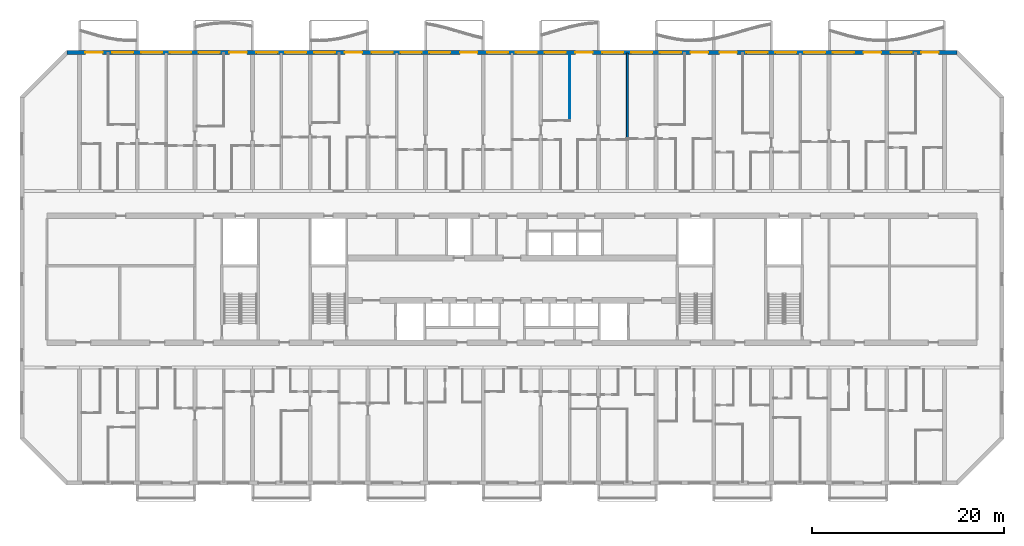
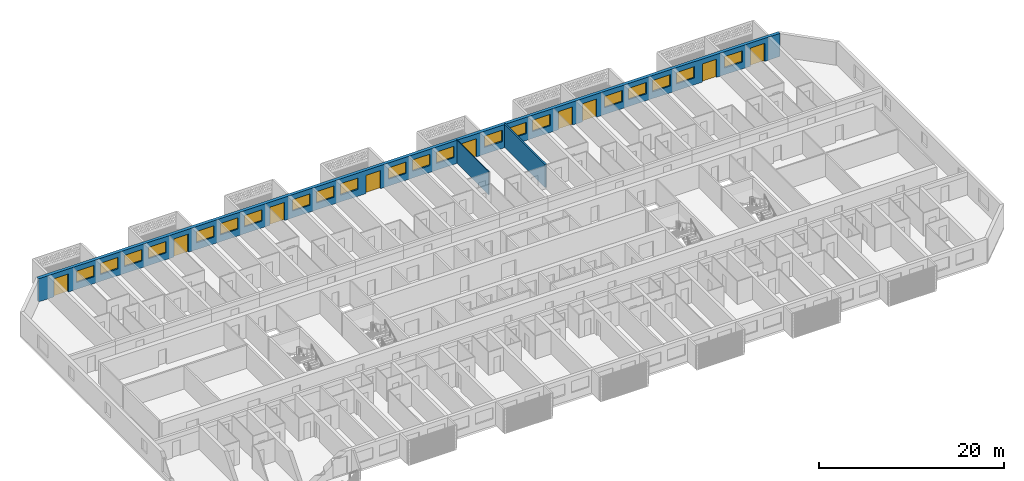
# One storey, part 13 of 38: 21 windows, 9 doors, 3 walls, 30 openings.
"""IFC4 building model written with IfcOpenShell, lengths in metres."""

from ifc_helpers import new_model, si_unit, direction, frame, frame_2d, origin, place, context, subcontext, project, spatial, rectangle, extrude, material, layer, layer_set, type_object, element, fill, save


model = new_model("IFC4")

# Units and contexts
model_context = context("Model", 3, precision=1e-05, world=origin(), true_north=direction((0.0, 1.0)))
body_context = subcontext(model_context, "Body", "Model", "MODEL_VIEW")
ifc_project = project(units=[si_unit("LENGTHUNIT", "METRE"), si_unit("AREAUNIT", "SQUARE_METRE"), si_unit("VOLUMEUNIT", "CUBIC_METRE"), si_unit("PLANEANGLEUNIT", "RADIAN"), si_unit("MASSUNIT", "GRAM", prefix="KILO")], contexts=[model_context])

# Site, building, storey
site_placement = place(None, origin())
site = spatial("IfcSite", under=ifc_project, at=site_placement, CompositionType="ELEMENT")
building_placement = place(site_placement, origin())
building = spatial("IfcBuilding", under=site, at=building_placement, Name="Poui Terraces", CompositionType="ELEMENT")
storey_placement = place(building_placement, frame((0.0, 0.0, 43.199951171875)))
storey = spatial("IfcBuildingStorey", under=building, at=storey_placement, Name="L11", CompositionType="ELEMENT", Elevation=43.199951171875)

# Wall, openings, doors, windows
ifc_material_1 = material(Name="Precast concrete 40 MPa", Category="concrete")
ifc_layer_1 = layer(ifc_material_1, 0.39990234375)
ifc_layer_set_1 = layer_set([ifc_layer_1], Name="Precast concrete 40 MPa")
wall_type_1 = type_object("IfcWallType", Name="EXTERNAL WALL 400", PredefinedType="STANDARD", material=ifc_layer_set_1)
wall_1_placement = place(storey_placement, frame((97.317138671875, 44.800048828125, 0.0), z_axis=(0.0, 0.0, 1.0), x_axis=(-1.0, 0.0, 0.0)))
wall_1 = element("IfcWall", 1, at=wall_1_placement, inside=storey, type_object=wall_type_1, Name="EXTERNAL WALL N", PredefinedType="STANDARD", context=body_context, shape_type="SweptSolid", body=[
    extrude(rectangle(XDim=92.63427734375, YDim=0.39990234375, at=frame_2d((46.317138671875, 0.0))), origin(), (0.0, 0.0, 1.0), 3.050048828125),
])
opening_1_placement = place(wall_1_placement, frame((88.917236328125, 0.0, 0.0)))
opening_1 = element("IfcOpeningElement", 2, at=opening_1_placement, cuts=wall_1, Name="Opening BD1", PredefinedType="OPENING", context=body_context, shape_type="SweptSolid", body=[
    extrude(rectangle(XDim=1.800048828125, YDim=2.39990234375, at=frame_2d((0.89990234375, 1.199951171875))), frame((0.0, 0.2099609375, 0.0), z_axis=(0.0, -1.0, 0.0), x_axis=(1.0, 0.0, 0.0)), (0.0, 0.0, 1.0), 0.419921875),
])
opening_2_placement = place(wall_1_placement, frame((85.71728515625, 0.0, 0.89990234375)))
opening_2 = element("IfcOpeningElement", 3, at=opening_2_placement, cuts=wall_1, Name="Opening W1", PredefinedType="OPENING", context=body_context, shape_type="SweptSolid", body=[
    extrude(rectangle(XDim=2.199951171875, YDim=1.5, at=frame_2d((1.10009765625, 0.75))), frame((0.0, 0.2099609375, 0.0), z_axis=(0.0, -1.0, 0.0), x_axis=(1.0, 0.0, 0.0)), (0.0, 0.0, 1.0), 0.419921875),
])
opening_3_placement = place(wall_1_placement, frame((82.71728515625, 0.0, 0.89990234375)))
opening_3 = element("IfcOpeningElement", 4, at=opening_3_placement, cuts=wall_1, Name="Opening W1", PredefinedType="OPENING", context=body_context, shape_type="SweptSolid", body=[
    extrude(rectangle(XDim=2.199951171875, YDim=1.5, at=frame_2d((1.10009765625, 0.75))), frame((0.0, 0.2099609375, 0.0), z_axis=(0.0, -1.0, 0.0), x_axis=(1.0, 0.0, 0.0)), (0.0, 0.0, 1.0), 0.419921875),
])
opening_4_placement = place(wall_1_placement, frame((79.71728515625, 0.0, 0.89990234375)))
opening_4 = element("IfcOpeningElement", 5, at=opening_4_placement, cuts=wall_1, Name="Opening W1", PredefinedType="OPENING", context=body_context, shape_type="SweptSolid", body=[
    extrude(rectangle(XDim=2.199951171875, YDim=1.5, at=frame_2d((1.10009765625, 0.75))), frame((0.0, 0.2099609375, 0.0), z_axis=(0.0, -1.0, 0.0), x_axis=(1.0, 0.0, 0.0)), (0.0, 0.0, 1.0), 0.419921875),
])
opening_5_placement = place(wall_1_placement, frame((76.71728515625, 0.0, 0.89990234375)))
opening_5 = element("IfcOpeningElement", 6, at=opening_5_placement, cuts=wall_1, Name="Opening W1", PredefinedType="OPENING", context=body_context, shape_type="SweptSolid", body=[
    extrude(rectangle(XDim=2.199951171875, YDim=1.5, at=frame_2d((1.10009765625, 0.75))), frame((0.0, 0.2099609375, 0.0), z_axis=(0.0, -1.0, 0.0), x_axis=(1.0, 0.0, 0.0)), (0.0, 0.0, 1.0), 0.419921875),
])
opening_6_placement = place(wall_1_placement, frame((73.917236328125, 0.0, 0.0)))
opening_6 = element("IfcOpeningElement", 7, at=opening_6_placement, cuts=wall_1, Name="Opening BD1", PredefinedType="OPENING", context=body_context, shape_type="SweptSolid", body=[
    extrude(rectangle(XDim=1.800048828125, YDim=2.39990234375, at=frame_2d((0.89990234375, 1.199951171875))), frame((0.0, 0.2099609375, 0.0), z_axis=(0.0, -1.0, 0.0), x_axis=(1.0, 0.0, 0.0)), (0.0, 0.0, 1.0), 0.419921875),
])
opening_7_placement = place(wall_1_placement, frame((70.71728515625, 0.0, 0.89990234375)))
opening_7 = element("IfcOpeningElement", 8, at=opening_7_placement, cuts=wall_1, Name="Opening W1", PredefinedType="OPENING", context=body_context, shape_type="SweptSolid", body=[
    extrude(rectangle(XDim=2.199951171875, YDim=1.5, at=frame_2d((1.10009765625, 0.75))), frame((0.0, 0.2099609375, 0.0), z_axis=(0.0, -1.0, 0.0), x_axis=(1.0, 0.0, 0.0)), (0.0, 0.0, 1.0), 0.419921875),
])
opening_8_placement = place(wall_1_placement, frame((67.71728515625, 0.0, 0.89990234375)))
opening_8 = element("IfcOpeningElement", 9, at=opening_8_placement, cuts=wall_1, Name="Opening W1", PredefinedType="OPENING", context=body_context, shape_type="SweptSolid", body=[
    extrude(rectangle(XDim=2.199951171875, YDim=1.5, at=frame_2d((1.10009765625, 0.75))), frame((0.0, 0.2099609375, 0.0), z_axis=(0.0, -1.0, 0.0), x_axis=(1.0, 0.0, 0.0)), (0.0, 0.0, 1.0), 0.419921875),
])
opening_9_placement = place(wall_1_placement, frame((64.71728515625, 0.0, 0.89990234375)))
opening_9 = element("IfcOpeningElement", 10, at=opening_9_placement, cuts=wall_1, Name="Opening W1", PredefinedType="OPENING", context=body_context, shape_type="SweptSolid", body=[
    extrude(rectangle(XDim=2.199951171875, YDim=1.5, at=frame_2d((1.10009765625, 0.75))), frame((0.0, 0.2099609375, 0.0), z_axis=(0.0, -1.0, 0.0), x_axis=(1.0, 0.0, 0.0)), (0.0, 0.0, 1.0), 0.419921875),
])
opening_10_placement = place(wall_1_placement, frame((61.917236328125, 0.0, 0.0)))
opening_10 = element("IfcOpeningElement", 11, at=opening_10_placement, cuts=wall_1, Name="Opening BD1", PredefinedType="OPENING", context=body_context, shape_type="SweptSolid", body=[
    extrude(rectangle(XDim=1.800048828125, YDim=2.39990234375, at=frame_2d((0.89990234375, 1.199951171875))), frame((0.0, 0.2099609375, 0.0), z_axis=(0.0, -1.0, 0.0), x_axis=(1.0, 0.0, 0.0)), (0.0, 0.0, 1.0), 0.419921875),
])
opening_11_placement = place(wall_1_placement, frame((58.71728515625, 0.0, 0.89990234375)))
opening_11 = element("IfcOpeningElement", 12, at=opening_11_placement, cuts=wall_1, Name="Opening W1", PredefinedType="OPENING", context=body_context, shape_type="SweptSolid", body=[
    extrude(rectangle(XDim=2.199951171875, YDim=1.5, at=frame_2d((1.10009765625, 0.75))), frame((0.0, 0.2099609375, 0.0), z_axis=(0.0, -1.0, 0.0), x_axis=(1.0, 0.0, 0.0)), (0.0, 0.0, 1.0), 0.419921875),
])
opening_12_placement = place(wall_1_placement, frame((55.71728515625, 0.0, 0.89990234375)))
opening_12 = element("IfcOpeningElement", 13, at=opening_12_placement, cuts=wall_1, Name="Opening W1", PredefinedType="OPENING", context=body_context, shape_type="SweptSolid", body=[
    extrude(rectangle(XDim=2.199951171875, YDim=1.5, at=frame_2d((1.10009765625, 0.75))), frame((0.0, 0.2099609375, 0.0), z_axis=(0.0, -1.0, 0.0), x_axis=(1.0, 0.0, 0.0)), (0.0, 0.0, 1.0), 0.419921875),
])
opening_13_placement = place(wall_1_placement, frame((52.71728515625, 0.0, 0.89990234375)))
opening_13 = element("IfcOpeningElement", 14, at=opening_13_placement, cuts=wall_1, Name="Opening W1", PredefinedType="OPENING", context=body_context, shape_type="SweptSolid", body=[
    extrude(rectangle(XDim=2.199951171875, YDim=1.5, at=frame_2d((1.10009765625, 0.75))), frame((0.0, 0.2099609375, 0.0), z_axis=(0.0, -1.0, 0.0), x_axis=(1.0, 0.0, 0.0)), (0.0, 0.0, 1.0), 0.419921875),
])
opening_14_placement = place(wall_1_placement, frame((49.917236328125, 0.0, 0.0)))
opening_14 = element("IfcOpeningElement", 15, at=opening_14_placement, cuts=wall_1, Name="Opening BD1", PredefinedType="OPENING", context=body_context, shape_type="SweptSolid", body=[
    extrude(rectangle(XDim=1.800048828125, YDim=2.39990234375, at=frame_2d((0.89990234375, 1.199951171875))), frame((0.0, 0.2099609375, 0.0), z_axis=(0.0, -1.0, 0.0), x_axis=(1.0, 0.0, 0.0)), (0.0, 0.0, 1.0), 0.419921875),
])
opening_15_placement = place(wall_1_placement, frame((46.71728515625, 0.0, 0.89990234375)))
opening_15 = element("IfcOpeningElement", 16, at=opening_15_placement, cuts=wall_1, Name="Opening W1", PredefinedType="OPENING", context=body_context, shape_type="SweptSolid", body=[
    extrude(rectangle(XDim=2.199951171875, YDim=1.5, at=frame_2d((1.10009765625, 0.75))), frame((0.0, 0.2099609375, 0.0), z_axis=(0.0, -1.0, 0.0), x_axis=(1.0, 0.0, 0.0)), (0.0, 0.0, 1.0), 0.419921875),
])
opening_16_placement = place(wall_1_placement, frame((43.71728515625, 0.0, 0.89990234375)))
opening_16 = element("IfcOpeningElement", 17, at=opening_16_placement, cuts=wall_1, Name="Opening W1", PredefinedType="OPENING", context=body_context, shape_type="SweptSolid", body=[
    extrude(rectangle(XDim=2.199951171875, YDim=1.5, at=frame_2d((1.10009765625, 0.75))), frame((0.0, 0.2099609375, 0.0), z_axis=(0.0, -1.0, 0.0), x_axis=(1.0, 0.0, 0.0)), (0.0, 0.0, 1.0), 0.419921875),
])
opening_17_placement = place(wall_1_placement, frame((40.71728515625, 0.0, 0.89990234375)))
opening_17 = element("IfcOpeningElement", 18, at=opening_17_placement, cuts=wall_1, Name="Opening W1", PredefinedType="OPENING", context=body_context, shape_type="SweptSolid", body=[
    extrude(rectangle(XDim=2.199951171875, YDim=1.5, at=frame_2d((1.10009765625, 0.75))), frame((0.0, 0.2099609375, 0.0), z_axis=(0.0, -1.0, 0.0), x_axis=(1.0, 0.0, 0.0)), (0.0, 0.0, 1.0), 0.419921875),
])
opening_18_placement = place(wall_1_placement, frame((37.917236328125, 0.0, 0.0)))
opening_18 = element("IfcOpeningElement", 19, at=opening_18_placement, cuts=wall_1, Name="Opening BD1", PredefinedType="OPENING", context=body_context, shape_type="SweptSolid", body=[
    extrude(rectangle(XDim=1.800048828125, YDim=2.39990234375, at=frame_2d((0.89990234375, 1.199951171875))), frame((0.0, 0.2099609375, 0.0), z_axis=(0.0, -1.0, 0.0), x_axis=(1.0, 0.0, 0.0)), (0.0, 0.0, 1.0), 0.419921875),
])
opening_19_placement = place(wall_1_placement, frame((34.71728515625, 0.0, 0.89990234375)))
opening_19 = element("IfcOpeningElement", 20, at=opening_19_placement, cuts=wall_1, Name="Opening W1", PredefinedType="OPENING", context=body_context, shape_type="SweptSolid", body=[
    extrude(rectangle(XDim=2.199951171875, YDim=1.5, at=frame_2d((1.10009765625, 0.75))), frame((0.0, 0.2099609375, 0.0), z_axis=(0.0, -1.0, 0.0), x_axis=(1.0, 0.0, 0.0)), (0.0, 0.0, 1.0), 0.419921875),
])
opening_20_placement = place(wall_1_placement, frame((31.71728515625, 0.0, 0.89990234375)))
opening_20 = element("IfcOpeningElement", 21, at=opening_20_placement, cuts=wall_1, Name="Opening W1", PredefinedType="OPENING", context=body_context, shape_type="SweptSolid", body=[
    extrude(rectangle(XDim=2.199951171875, YDim=1.5, at=frame_2d((1.10009765625, 0.75))), frame((0.0, 0.2099609375, 0.0), z_axis=(0.0, -1.0, 0.0), x_axis=(1.0, 0.0, 0.0)), (0.0, 0.0, 1.0), 0.419921875),
])
opening_21_placement = place(wall_1_placement, frame((28.71728515625, 0.0, 0.89990234375)))
opening_21 = element("IfcOpeningElement", 22, at=opening_21_placement, cuts=wall_1, Name="Opening W1", PredefinedType="OPENING", context=body_context, shape_type="SweptSolid", body=[
    extrude(rectangle(XDim=2.199951171875, YDim=1.5, at=frame_2d((1.10009765625, 0.75))), frame((0.0, 0.2099609375, 0.0), z_axis=(0.0, -1.0, 0.0), x_axis=(1.0, 0.0, 0.0)), (0.0, 0.0, 1.0), 0.419921875),
])
opening_22_placement = place(wall_1_placement, frame((25.917236328125, 0.0, 0.0)))
opening_22 = element("IfcOpeningElement", 23, at=opening_22_placement, cuts=wall_1, Name="Opening BD1", PredefinedType="OPENING", context=body_context, shape_type="SweptSolid", body=[
    extrude(rectangle(XDim=1.800048828125, YDim=2.39990234375, at=frame_2d((0.89990234375, 1.199951171875))), frame((0.0, 0.2099609375, 0.0), z_axis=(0.0, -1.0, 0.0), x_axis=(1.0, 0.0, 0.0)), (0.0, 0.0, 1.0), 0.419921875),
])
opening_23_placement = place(wall_1_placement, frame((22.917236328125, 0.0, 0.0)))
opening_23 = element("IfcOpeningElement", 24, at=opening_23_placement, cuts=wall_1, Name="Opening BD1", PredefinedType="OPENING", context=body_context, shape_type="SweptSolid", body=[
    extrude(rectangle(XDim=1.800048828125, YDim=2.39990234375, at=frame_2d((0.89990234375, 1.199951171875))), frame((0.0, 0.2099609375, 0.0), z_axis=(0.0, -1.0, 0.0), x_axis=(1.0, 0.0, 0.0)), (0.0, 0.0, 1.0), 0.419921875),
])
opening_24_placement = place(wall_1_placement, frame((19.71728515625, 0.0, 0.89990234375)))
opening_24 = element("IfcOpeningElement", 25, at=opening_24_placement, cuts=wall_1, Name="Opening W1", PredefinedType="OPENING", context=body_context, shape_type="SweptSolid", body=[
    extrude(rectangle(XDim=2.199951171875, YDim=1.5, at=frame_2d((1.10009765625, 0.75))), frame((0.0, 0.2099609375, 0.0), z_axis=(0.0, -1.0, 0.0), x_axis=(1.0, 0.0, 0.0)), (0.0, 0.0, 1.0), 0.419921875),
])
opening_25_placement = place(wall_1_placement, frame((16.71728515625, 0.0, 0.89990234375)))
opening_25 = element("IfcOpeningElement", 26, at=opening_25_placement, cuts=wall_1, Name="Opening W1", PredefinedType="OPENING", context=body_context, shape_type="SweptSolid", body=[
    extrude(rectangle(XDim=2.199951171875, YDim=1.5, at=frame_2d((1.10009765625, 0.75))), frame((0.0, 0.2099609375, 0.0), z_axis=(0.0, -1.0, 0.0), x_axis=(1.0, 0.0, 0.0)), (0.0, 0.0, 1.0), 0.419921875),
])
opening_26_placement = place(wall_1_placement, frame((13.71728515625, 0.0, 0.89990234375)))
opening_26 = element("IfcOpeningElement", 27, at=opening_26_placement, cuts=wall_1, Name="Opening W1", PredefinedType="OPENING", context=body_context, shape_type="SweptSolid", body=[
    extrude(rectangle(XDim=2.199951171875, YDim=1.5, at=frame_2d((1.10009765625, 0.75))), frame((0.0, 0.2099609375, 0.0), z_axis=(0.0, -1.0, 0.0), x_axis=(1.0, 0.0, 0.0)), (0.0, 0.0, 1.0), 0.419921875),
])
opening_27_placement = place(wall_1_placement, frame((10.71728515625, 0.0, 0.89990234375)))
opening_27 = element("IfcOpeningElement", 28, at=opening_27_placement, cuts=wall_1, Name="Opening W1", PredefinedType="OPENING", context=body_context, shape_type="SweptSolid", body=[
    extrude(rectangle(XDim=2.199951171875, YDim=1.5, at=frame_2d((1.10009765625, 0.75))), frame((0.0, 0.2099609375, 0.0), z_axis=(0.0, -1.0, 0.0), x_axis=(1.0, 0.0, 0.0)), (0.0, 0.0, 1.0), 0.419921875),
])
opening_28_placement = place(wall_1_placement, frame((7.917236328125, 0.0, 0.0)))
opening_28 = element("IfcOpeningElement", 29, at=opening_28_placement, cuts=wall_1, Name="Opening BD1", PredefinedType="OPENING", context=body_context, shape_type="SweptSolid", body=[
    extrude(rectangle(XDim=1.800048828125, YDim=2.39990234375, at=frame_2d((0.89990234375, 1.199951171875))), frame((0.0, 0.2099609375, 0.0), z_axis=(0.0, -1.0, 0.0), x_axis=(1.0, 0.0, 0.0)), (0.0, 0.0, 1.0), 0.419921875),
])
opening_29_placement = place(wall_1_placement, frame((4.71728515625, 0.0, 0.89990234375)))
opening_29 = element("IfcOpeningElement", 30, at=opening_29_placement, cuts=wall_1, Name="Opening W1", PredefinedType="OPENING", context=body_context, shape_type="SweptSolid", body=[
    extrude(rectangle(XDim=2.199951171875, YDim=1.5, at=frame_2d((1.10009765625, 0.75))), frame((0.0, 0.2099609375, 0.0), z_axis=(0.0, -1.0, 0.0), x_axis=(1.0, 0.0, 0.0)), (0.0, 0.0, 1.0), 0.419921875),
])
opening_30_placement = place(wall_1_placement, frame((1.917236328125, 0.0, 0.0)))
opening_30 = element("IfcOpeningElement", 31, at=opening_30_placement, cuts=wall_1, Name="Opening BD1", PredefinedType="OPENING", context=body_context, shape_type="SweptSolid", body=[
    extrude(rectangle(XDim=1.800048828125, YDim=2.39990234375, at=frame_2d((0.89990234375, 1.199951171875))), frame((0.0, 0.2099609375, 0.0), z_axis=(0.0, -1.0, 0.0), x_axis=(1.0, 0.0, 0.0)), (0.0, 0.0, 1.0), 0.419921875),
])
ifc_material_2 = material(Name="Clear glass in aluminium frame", Category="aluminium")
door_type = type_object("IfcDoorType", Name="BALCONY DOOR 1800X2400", OperationType="DOUBLE_DOOR_SLIDING", PredefinedType="DOOR", material=ifc_material_2)
door_1_placement = place(opening_1_placement, origin())
door_1 = element("IfcDoor", 32, at=door_1_placement, inside=storey, type_object=door_type, Name="BD1 BALCONY DOOR", OperationType="DOUBLE_DOOR_SLIDING", OverallHeight=2.39990234375, OverallWidth=1.800048828125, PredefinedType="DOOR", context=body_context, shape_type="SweptSolid", body=[
    extrude(rectangle(XDim=1.800048828125, YDim=2.39990234375, at=frame_2d((0.89990234375, 1.199951171875))), frame((0.0, 0.02490234375, 0.0), z_axis=(0.0, -1.0, 0.0), x_axis=(1.0, 0.0, 0.0)), (0.0, 0.0, 1.0), 0.050048828125),
])
fill(opening_1, door_1)
door_2_placement = place(opening_6_placement, origin())
door_2 = element("IfcDoor", 33, at=door_2_placement, inside=storey, type_object=door_type, Name="BD1 BALCONY DOOR", OperationType="DOUBLE_DOOR_SLIDING", OverallHeight=2.39990234375, OverallWidth=1.800048828125, PredefinedType="DOOR", context=body_context, shape_type="SweptSolid", body=[
    extrude(rectangle(XDim=1.800048828125, YDim=2.39990234375, at=frame_2d((0.89990234375, 1.199951171875))), frame((0.0, 0.02490234375, 0.0), z_axis=(0.0, -1.0, 0.0), x_axis=(1.0, 0.0, 0.0)), (0.0, 0.0, 1.0), 0.050048828125),
])
fill(opening_6, door_2)
door_3_placement = place(opening_10_placement, origin())
door_3 = element("IfcDoor", 34, at=door_3_placement, inside=storey, type_object=door_type, Name="BD1 BALCONY DOOR", OperationType="DOUBLE_DOOR_SLIDING", OverallHeight=2.39990234375, OverallWidth=1.800048828125, PredefinedType="DOOR", context=body_context, shape_type="SweptSolid", body=[
    extrude(rectangle(XDim=1.800048828125, YDim=2.39990234375, at=frame_2d((0.89990234375, 1.199951171875))), frame((0.0, 0.02490234375, 0.0), z_axis=(0.0, -1.0, 0.0), x_axis=(1.0, 0.0, 0.0)), (0.0, 0.0, 1.0), 0.050048828125),
])
fill(opening_10, door_3)
door_4_placement = place(opening_14_placement, origin())
door_4 = element("IfcDoor", 35, at=door_4_placement, inside=storey, type_object=door_type, Name="BD1 BALCONY DOOR", OperationType="DOUBLE_DOOR_SLIDING", OverallHeight=2.39990234375, OverallWidth=1.800048828125, PredefinedType="DOOR", context=body_context, shape_type="SweptSolid", body=[
    extrude(rectangle(XDim=1.800048828125, YDim=2.39990234375, at=frame_2d((0.89990234375, 1.199951171875))), frame((0.0, 0.02490234375, 0.0), z_axis=(0.0, -1.0, 0.0), x_axis=(1.0, 0.0, 0.0)), (0.0, 0.0, 1.0), 0.050048828125),
])
fill(opening_14, door_4)
door_5_placement = place(opening_18_placement, origin())
door_5 = element("IfcDoor", 36, at=door_5_placement, inside=storey, type_object=door_type, Name="BD1 BALCONY DOOR", OperationType="DOUBLE_DOOR_SLIDING", OverallHeight=2.39990234375, OverallWidth=1.800048828125, PredefinedType="DOOR", context=body_context, shape_type="SweptSolid", body=[
    extrude(rectangle(XDim=1.800048828125, YDim=2.39990234375, at=frame_2d((0.89990234375, 1.199951171875))), frame((0.0, 0.02490234375, 0.0), z_axis=(0.0, -1.0, 0.0), x_axis=(1.0, 0.0, 0.0)), (0.0, 0.0, 1.0), 0.050048828125),
])
fill(opening_18, door_5)
door_6_placement = place(opening_22_placement, origin())
door_6 = element("IfcDoor", 37, at=door_6_placement, inside=storey, type_object=door_type, Name="BD1 BALCONY DOOR", OperationType="DOUBLE_DOOR_SLIDING", OverallHeight=2.39990234375, OverallWidth=1.800048828125, PredefinedType="DOOR", context=body_context, shape_type="SweptSolid", body=[
    extrude(rectangle(XDim=1.800048828125, YDim=2.39990234375, at=frame_2d((0.89990234375, 1.199951171875))), frame((0.0, 0.02490234375, 0.0), z_axis=(0.0, -1.0, 0.0), x_axis=(1.0, 0.0, 0.0)), (0.0, 0.0, 1.0), 0.050048828125),
])
fill(opening_22, door_6)
door_7_placement = place(opening_23_placement, origin())
door_7 = element("IfcDoor", 38, at=door_7_placement, inside=storey, type_object=door_type, Name="BD1 BALCONY DOOR", OperationType="DOUBLE_DOOR_SLIDING", OverallHeight=2.39990234375, OverallWidth=1.800048828125, PredefinedType="DOOR", context=body_context, shape_type="SweptSolid", body=[
    extrude(rectangle(XDim=1.800048828125, YDim=2.39990234375, at=frame_2d((0.89990234375, 1.199951171875))), frame((0.0, 0.02490234375, 0.0), z_axis=(0.0, -1.0, 0.0), x_axis=(1.0, 0.0, 0.0)), (0.0, 0.0, 1.0), 0.050048828125),
])
fill(opening_23, door_7)
door_8_placement = place(opening_28_placement, origin())
door_8 = element("IfcDoor", 39, at=door_8_placement, inside=storey, type_object=door_type, Name="BD1 BALCONY DOOR", OperationType="DOUBLE_DOOR_SLIDING", OverallHeight=2.39990234375, OverallWidth=1.800048828125, PredefinedType="DOOR", context=body_context, shape_type="SweptSolid", body=[
    extrude(rectangle(XDim=1.800048828125, YDim=2.39990234375, at=frame_2d((0.89990234375, 1.199951171875))), frame((0.0, 0.02490234375, 0.0), z_axis=(0.0, -1.0, 0.0), x_axis=(1.0, 0.0, 0.0)), (0.0, 0.0, 1.0), 0.050048828125),
])
fill(opening_28, door_8)
door_9_placement = place(opening_30_placement, origin())
door_9 = element("IfcDoor", 40, at=door_9_placement, inside=storey, type_object=door_type, Name="BD1 BALCONY DOOR", OperationType="DOUBLE_DOOR_SLIDING", OverallHeight=2.39990234375, OverallWidth=1.800048828125, PredefinedType="DOOR", context=body_context, shape_type="SweptSolid", body=[
    extrude(rectangle(XDim=1.800048828125, YDim=2.39990234375, at=frame_2d((0.89990234375, 1.199951171875))), frame((0.0, 0.02490234375, 0.0), z_axis=(0.0, -1.0, 0.0), x_axis=(1.0, 0.0, 0.0)), (0.0, 0.0, 1.0), 0.050048828125),
])
fill(opening_30, door_9)
window_type = type_object("IfcWindowType", Name="WINDOW 2200X1500", PartitioningType="DOUBLE_PANEL_HORIZONTAL", PredefinedType="WINDOW", material=ifc_material_2)
window_1_placement = place(opening_2_placement, origin())
window_1 = element("IfcWindow", 41, at=window_1_placement, inside=storey, type_object=window_type, Name="W1 WINDOW", OverallHeight=1.5, OverallWidth=2.199951171875, PartitioningType="DOUBLE_PANEL_HORIZONTAL", PredefinedType="WINDOW", context=body_context, shape_type="SweptSolid", body=[
    extrude(rectangle(XDim=2.199951171875, YDim=1.5, at=frame_2d((1.10009765625, 0.75))), frame((0.0, 0.030029296875, 0.0), z_axis=(0.0, -1.0, 0.0), x_axis=(1.0, 0.0, 0.0)), (0.0, 0.0, 1.0), 0.06005859375),
])
fill(opening_2, window_1)
window_2_placement = place(opening_3_placement, origin())
window_2 = element("IfcWindow", 42, at=window_2_placement, inside=storey, type_object=window_type, Name="W1 WINDOW", OverallHeight=1.5, OverallWidth=2.199951171875, PartitioningType="DOUBLE_PANEL_HORIZONTAL", PredefinedType="WINDOW", context=body_context, shape_type="SweptSolid", body=[
    extrude(rectangle(XDim=2.199951171875, YDim=1.5, at=frame_2d((1.10009765625, 0.75))), frame((0.0, 0.030029296875, 0.0), z_axis=(0.0, -1.0, 0.0), x_axis=(1.0, 0.0, 0.0)), (0.0, 0.0, 1.0), 0.06005859375),
])
fill(opening_3, window_2)
window_3_placement = place(opening_4_placement, origin())
window_3 = element("IfcWindow", 43, at=window_3_placement, inside=storey, type_object=window_type, Name="W1 WINDOW", OverallHeight=1.5, OverallWidth=2.199951171875, PartitioningType="DOUBLE_PANEL_HORIZONTAL", PredefinedType="WINDOW", context=body_context, shape_type="SweptSolid", body=[
    extrude(rectangle(XDim=2.199951171875, YDim=1.5, at=frame_2d((1.10009765625, 0.75))), frame((0.0, 0.030029296875, 0.0), z_axis=(0.0, -1.0, 0.0), x_axis=(1.0, 0.0, 0.0)), (0.0, 0.0, 1.0), 0.06005859375),
])
fill(opening_4, window_3)
window_4_placement = place(opening_5_placement, origin())
window_4 = element("IfcWindow", 44, at=window_4_placement, inside=storey, type_object=window_type, Name="W1 WINDOW", OverallHeight=1.5, OverallWidth=2.199951171875, PartitioningType="DOUBLE_PANEL_HORIZONTAL", PredefinedType="WINDOW", context=body_context, shape_type="SweptSolid", body=[
    extrude(rectangle(XDim=2.199951171875, YDim=1.5, at=frame_2d((1.10009765625, 0.75))), frame((0.0, 0.030029296875, 0.0), z_axis=(0.0, -1.0, 0.0), x_axis=(1.0, 0.0, 0.0)), (0.0, 0.0, 1.0), 0.06005859375),
])
fill(opening_5, window_4)
window_5_placement = place(opening_7_placement, origin())
window_5 = element("IfcWindow", 45, at=window_5_placement, inside=storey, type_object=window_type, Name="W1 WINDOW", OverallHeight=1.5, OverallWidth=2.199951171875, PartitioningType="DOUBLE_PANEL_HORIZONTAL", PredefinedType="WINDOW", context=body_context, shape_type="SweptSolid", body=[
    extrude(rectangle(XDim=2.199951171875, YDim=1.5, at=frame_2d((1.10009765625, 0.75))), frame((0.0, 0.030029296875, 0.0), z_axis=(0.0, -1.0, 0.0), x_axis=(1.0, 0.0, 0.0)), (0.0, 0.0, 1.0), 0.06005859375),
])
fill(opening_7, window_5)
window_6_placement = place(opening_8_placement, origin())
window_6 = element("IfcWindow", 46, at=window_6_placement, inside=storey, type_object=window_type, Name="W1 WINDOW", OverallHeight=1.5, OverallWidth=2.199951171875, PartitioningType="DOUBLE_PANEL_HORIZONTAL", PredefinedType="WINDOW", context=body_context, shape_type="SweptSolid", body=[
    extrude(rectangle(XDim=2.199951171875, YDim=1.5, at=frame_2d((1.10009765625, 0.75))), frame((0.0, 0.030029296875, 0.0), z_axis=(0.0, -1.0, 0.0), x_axis=(1.0, 0.0, 0.0)), (0.0, 0.0, 1.0), 0.06005859375),
])
fill(opening_8, window_6)
window_7_placement = place(opening_9_placement, origin())
window_7 = element("IfcWindow", 47, at=window_7_placement, inside=storey, type_object=window_type, Name="W1 WINDOW", OverallHeight=1.5, OverallWidth=2.199951171875, PartitioningType="DOUBLE_PANEL_HORIZONTAL", PredefinedType="WINDOW", context=body_context, shape_type="SweptSolid", body=[
    extrude(rectangle(XDim=2.199951171875, YDim=1.5, at=frame_2d((1.10009765625, 0.75))), frame((0.0, 0.030029296875, 0.0), z_axis=(0.0, -1.0, 0.0), x_axis=(1.0, 0.0, 0.0)), (0.0, 0.0, 1.0), 0.06005859375),
])
fill(opening_9, window_7)
window_8_placement = place(opening_11_placement, origin())
window_8 = element("IfcWindow", 48, at=window_8_placement, inside=storey, type_object=window_type, Name="W1 WINDOW", OverallHeight=1.5, OverallWidth=2.199951171875, PartitioningType="DOUBLE_PANEL_HORIZONTAL", PredefinedType="WINDOW", context=body_context, shape_type="SweptSolid", body=[
    extrude(rectangle(XDim=2.199951171875, YDim=1.5, at=frame_2d((1.10009765625, 0.75))), frame((0.0, 0.030029296875, 0.0), z_axis=(0.0, -1.0, 0.0), x_axis=(1.0, 0.0, 0.0)), (0.0, 0.0, 1.0), 0.06005859375),
])
fill(opening_11, window_8)
window_9_placement = place(opening_12_placement, origin())
window_9 = element("IfcWindow", 49, at=window_9_placement, inside=storey, type_object=window_type, Name="W1 WINDOW", OverallHeight=1.5, OverallWidth=2.199951171875, PartitioningType="DOUBLE_PANEL_HORIZONTAL", PredefinedType="WINDOW", context=body_context, shape_type="SweptSolid", body=[
    extrude(rectangle(XDim=2.199951171875, YDim=1.5, at=frame_2d((1.10009765625, 0.75))), frame((0.0, 0.030029296875, 0.0), z_axis=(0.0, -1.0, 0.0), x_axis=(1.0, 0.0, 0.0)), (0.0, 0.0, 1.0), 0.06005859375),
])
fill(opening_12, window_9)
window_10_placement = place(opening_13_placement, origin())
window_10 = element("IfcWindow", 50, at=window_10_placement, inside=storey, type_object=window_type, Name="W1 WINDOW", OverallHeight=1.5, OverallWidth=2.199951171875, PartitioningType="DOUBLE_PANEL_HORIZONTAL", PredefinedType="WINDOW", context=body_context, shape_type="SweptSolid", body=[
    extrude(rectangle(XDim=2.199951171875, YDim=1.5, at=frame_2d((1.10009765625, 0.75))), frame((0.0, 0.030029296875, 0.0), z_axis=(0.0, -1.0, 0.0), x_axis=(1.0, 0.0, 0.0)), (0.0, 0.0, 1.0), 0.06005859375),
])
fill(opening_13, window_10)
window_11_placement = place(opening_15_placement, origin())
window_11 = element("IfcWindow", 51, at=window_11_placement, inside=storey, type_object=window_type, Name="W1 WINDOW", OverallHeight=1.5, OverallWidth=2.199951171875, PartitioningType="DOUBLE_PANEL_HORIZONTAL", PredefinedType="WINDOW", context=body_context, shape_type="SweptSolid", body=[
    extrude(rectangle(XDim=2.199951171875, YDim=1.5, at=frame_2d((1.10009765625, 0.75))), frame((0.0, 0.030029296875, 0.0), z_axis=(0.0, -1.0, 0.0), x_axis=(1.0, 0.0, 0.0)), (0.0, 0.0, 1.0), 0.06005859375),
])
fill(opening_15, window_11)
window_12_placement = place(opening_16_placement, origin())
window_12 = element("IfcWindow", 52, at=window_12_placement, inside=storey, type_object=window_type, Name="W1 WINDOW", OverallHeight=1.5, OverallWidth=2.199951171875, PartitioningType="DOUBLE_PANEL_HORIZONTAL", PredefinedType="WINDOW", context=body_context, shape_type="SweptSolid", body=[
    extrude(rectangle(XDim=2.199951171875, YDim=1.5, at=frame_2d((1.10009765625, 0.75))), frame((0.0, 0.030029296875, 0.0), z_axis=(0.0, -1.0, 0.0), x_axis=(1.0, 0.0, 0.0)), (0.0, 0.0, 1.0), 0.06005859375),
])
fill(opening_16, window_12)
window_13_placement = place(opening_17_placement, origin())
window_13 = element("IfcWindow", 53, at=window_13_placement, inside=storey, type_object=window_type, Name="W1 WINDOW", OverallHeight=1.5, OverallWidth=2.199951171875, PartitioningType="DOUBLE_PANEL_HORIZONTAL", PredefinedType="WINDOW", context=body_context, shape_type="SweptSolid", body=[
    extrude(rectangle(XDim=2.199951171875, YDim=1.5, at=frame_2d((1.10009765625, 0.75))), frame((0.0, 0.030029296875, 0.0), z_axis=(0.0, -1.0, 0.0), x_axis=(1.0, 0.0, 0.0)), (0.0, 0.0, 1.0), 0.06005859375),
])
fill(opening_17, window_13)
window_14_placement = place(opening_19_placement, origin())
window_14 = element("IfcWindow", 54, at=window_14_placement, inside=storey, type_object=window_type, Name="W1 WINDOW", OverallHeight=1.5, OverallWidth=2.199951171875, PartitioningType="DOUBLE_PANEL_HORIZONTAL", PredefinedType="WINDOW", context=body_context, shape_type="SweptSolid", body=[
    extrude(rectangle(XDim=2.199951171875, YDim=1.5, at=frame_2d((1.10009765625, 0.75))), frame((0.0, 0.030029296875, 0.0), z_axis=(0.0, -1.0, 0.0), x_axis=(1.0, 0.0, 0.0)), (0.0, 0.0, 1.0), 0.06005859375),
])
fill(opening_19, window_14)
window_15_placement = place(opening_20_placement, origin())
window_15 = element("IfcWindow", 55, at=window_15_placement, inside=storey, type_object=window_type, Name="W1 WINDOW", OverallHeight=1.5, OverallWidth=2.199951171875, PartitioningType="DOUBLE_PANEL_HORIZONTAL", PredefinedType="WINDOW", context=body_context, shape_type="SweptSolid", body=[
    extrude(rectangle(XDim=2.199951171875, YDim=1.5, at=frame_2d((1.10009765625, 0.75))), frame((0.0, 0.030029296875, 0.0), z_axis=(0.0, -1.0, 0.0), x_axis=(1.0, 0.0, 0.0)), (0.0, 0.0, 1.0), 0.06005859375),
])
fill(opening_20, window_15)
window_16_placement = place(opening_21_placement, origin())
window_16 = element("IfcWindow", 56, at=window_16_placement, inside=storey, type_object=window_type, Name="W1 WINDOW", OverallHeight=1.5, OverallWidth=2.199951171875, PartitioningType="DOUBLE_PANEL_HORIZONTAL", PredefinedType="WINDOW", context=body_context, shape_type="SweptSolid", body=[
    extrude(rectangle(XDim=2.199951171875, YDim=1.5, at=frame_2d((1.10009765625, 0.75))), frame((0.0, 0.030029296875, 0.0), z_axis=(0.0, -1.0, 0.0), x_axis=(1.0, 0.0, 0.0)), (0.0, 0.0, 1.0), 0.06005859375),
])
fill(opening_21, window_16)
window_17_placement = place(opening_24_placement, origin())
window_17 = element("IfcWindow", 57, at=window_17_placement, inside=storey, type_object=window_type, Name="W1 WINDOW", OverallHeight=1.5, OverallWidth=2.199951171875, PartitioningType="DOUBLE_PANEL_HORIZONTAL", PredefinedType="WINDOW", context=body_context, shape_type="SweptSolid", body=[
    extrude(rectangle(XDim=2.199951171875, YDim=1.5, at=frame_2d((1.10009765625, 0.75))), frame((0.0, 0.030029296875, 0.0), z_axis=(0.0, -1.0, 0.0), x_axis=(1.0, 0.0, 0.0)), (0.0, 0.0, 1.0), 0.06005859375),
])
fill(opening_24, window_17)
window_18_placement = place(opening_25_placement, origin())
window_18 = element("IfcWindow", 58, at=window_18_placement, inside=storey, type_object=window_type, Name="W1 WINDOW", OverallHeight=1.5, OverallWidth=2.199951171875, PartitioningType="DOUBLE_PANEL_HORIZONTAL", PredefinedType="WINDOW", context=body_context, shape_type="SweptSolid", body=[
    extrude(rectangle(XDim=2.199951171875, YDim=1.5, at=frame_2d((1.10009765625, 0.75))), frame((0.0, 0.030029296875, 0.0), z_axis=(0.0, -1.0, 0.0), x_axis=(1.0, 0.0, 0.0)), (0.0, 0.0, 1.0), 0.06005859375),
])
fill(opening_25, window_18)
window_19_placement = place(opening_26_placement, origin())
window_19 = element("IfcWindow", 59, at=window_19_placement, inside=storey, type_object=window_type, Name="W1 WINDOW", OverallHeight=1.5, OverallWidth=2.199951171875, PartitioningType="DOUBLE_PANEL_HORIZONTAL", PredefinedType="WINDOW", context=body_context, shape_type="SweptSolid", body=[
    extrude(rectangle(XDim=2.199951171875, YDim=1.5, at=frame_2d((1.10009765625, 0.75))), frame((0.0, 0.030029296875, 0.0), z_axis=(0.0, -1.0, 0.0), x_axis=(1.0, 0.0, 0.0)), (0.0, 0.0, 1.0), 0.06005859375),
])
fill(opening_26, window_19)
window_20_placement = place(opening_27_placement, origin())
window_20 = element("IfcWindow", 60, at=window_20_placement, inside=storey, type_object=window_type, Name="W1 WINDOW", OverallHeight=1.5, OverallWidth=2.199951171875, PartitioningType="DOUBLE_PANEL_HORIZONTAL", PredefinedType="WINDOW", context=body_context, shape_type="SweptSolid", body=[
    extrude(rectangle(XDim=2.199951171875, YDim=1.5, at=frame_2d((1.10009765625, 0.75))), frame((0.0, 0.030029296875, 0.0), z_axis=(0.0, -1.0, 0.0), x_axis=(1.0, 0.0, 0.0)), (0.0, 0.0, 1.0), 0.06005859375),
])
fill(opening_27, window_20)
window_21_placement = place(opening_29_placement, origin())
window_21 = element("IfcWindow", 61, at=window_21_placement, inside=storey, type_object=window_type, Name="W1 WINDOW", OverallHeight=1.5, OverallWidth=2.199951171875, PartitioningType="DOUBLE_PANEL_HORIZONTAL", PredefinedType="WINDOW", context=body_context, shape_type="SweptSolid", body=[
    extrude(rectangle(XDim=2.199951171875, YDim=1.5, at=frame_2d((1.10009765625, 0.75))), frame((0.0, 0.030029296875, 0.0), z_axis=(0.0, -1.0, 0.0), x_axis=(1.0, 0.0, 0.0)), (0.0, 0.0, 1.0), 0.06005859375),
])
fill(opening_29, window_21)

# Walls
ifc_material_3 = material(Name="Plasterboard partition")
ifc_layer_2 = layer(ifc_material_3, 0.10009765625)
ifc_layer_set_2 = layer_set([ifc_layer_2], Name="Plasterboard partition")
wall_type_2 = type_object("IfcWallType", Name="FLAT PARTITION 100", PredefinedType="PARTITIONING", material=ifc_layer_set_2)
wall_2_placement = place(storey_placement, frame((57.0, 37.75, 0.0), z_axis=(0.0, 0.0, 1.0), x_axis=(0.0, 1.0, 0.0)))
element("IfcWall", 62, at=wall_2_placement, inside=storey, type_object=wall_type_2, Name="FLAT PARTITION 100", PredefinedType="PARTITIONING", context=body_context, shape_type="SweptSolid", body=[
    extrude(rectangle(XDim=6.989990234375, YDim=0.10009765625, at=frame_2d((3.4951171875, 0.0))), origin(), (0.0, 0.0, 1.0), 3.050048828125),
])
ifc_material_4 = material(Name="Fire-rated masonry wall", Category="masonry")
ifc_layer_3 = layer(ifc_material_4, 0.199951171875)
ifc_layer_set_3 = layer_set([ifc_layer_3], Name="Fire-rated masonry wall")
wall_type_3 = type_object("IfcWallType", Name="FLAT PARTY WALL 200", PredefinedType="PARTITIONING", material=ifc_layer_set_3)
wall_3_placement = place(storey_placement, frame((63.0, 35.85009765625, 0.0), z_axis=(0.0, 0.0, 1.0), x_axis=(0.0, 1.0, 0.0)))
element("IfcWall", 63, at=wall_3_placement, inside=storey, type_object=wall_type_3, Name="FLAT PARTY WALL 200", PredefinedType="PARTITIONING", context=body_context, shape_type="SweptSolid", body=[
    extrude(rectangle(XDim=8.889892578125, YDim=0.199951171875, at=frame_2d((4.44482421875, 0.0))), origin(), (0.0, 0.0, 1.0), 3.050048828125),
])

save(model, "model.ifc")
